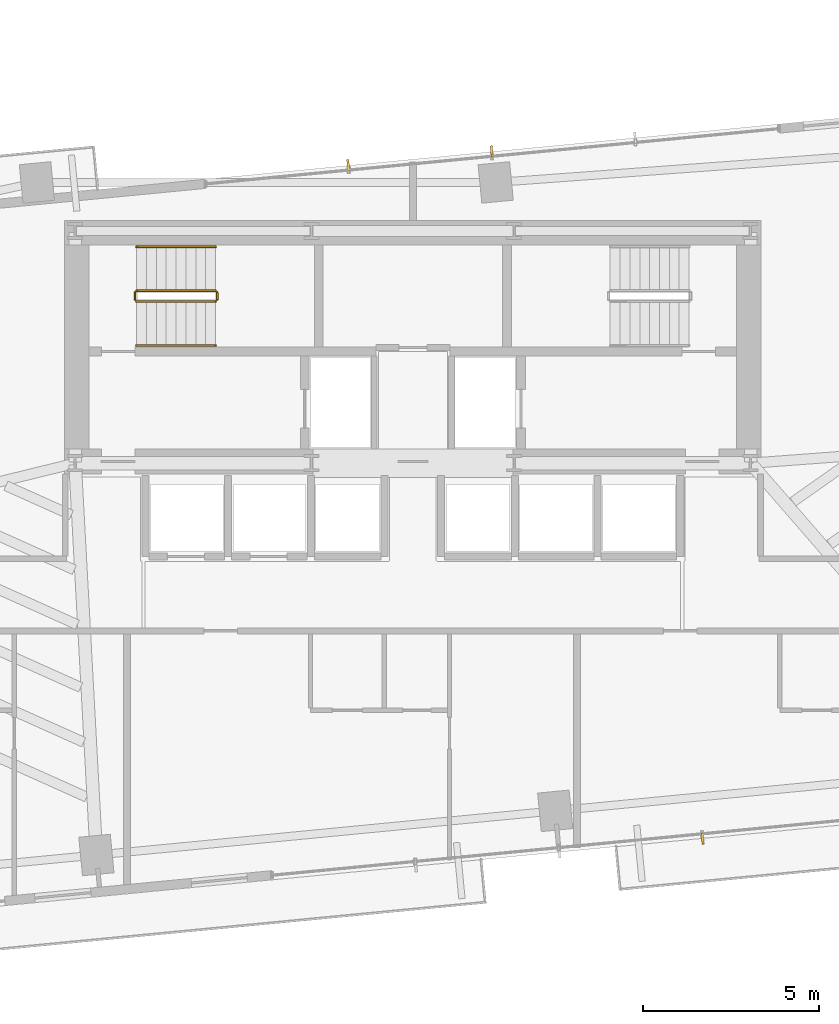
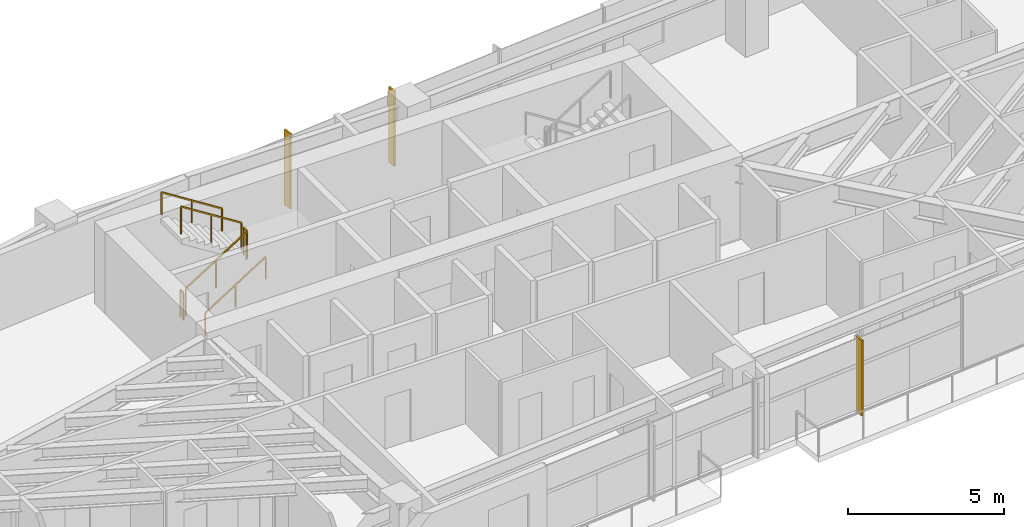
# One storey, part 26 of 27: 6 railings, 3 shading devices.
"""IFC4 building model written with IfcOpenShell, lengths in metres."""

from ifc_helpers import new_model, si_unit, direction, frame, origin, origin_2d, place, context, subcontext, project, spatial, rectangle, extrude, source, transform, mapped, material, type_object, type_shapes, element, save


model = new_model("IFC4")

# Units and contexts
model_context = context("Model", 3, precision=1e-05, world=origin(), true_north=direction((0.0, 1.0)))
body_context = subcontext(model_context, "Body", "Model", "MODEL_VIEW")
ifc_project = project(units=[si_unit("LENGTHUNIT", "METRE"), si_unit("AREAUNIT", "SQUARE_METRE"), si_unit("VOLUMEUNIT", "CUBIC_METRE"), si_unit("PLANEANGLEUNIT", "RADIAN"), si_unit("MASSUNIT", "GRAM", prefix="KILO")], contexts=[model_context])

# Site, building, storey
site_placement = place(None, origin())
site = spatial("IfcSite", under=ifc_project, at=site_placement, CompositionType="ELEMENT")
building_placement = place(site_placement, origin())
building = spatial("IfcBuilding", under=site, at=building_placement, Name="Astriad Promenade Condominiums", CompositionType="ELEMENT")
storey_placement = place(building_placement, frame((0.0, 0.0, 93.800048828125)))
storey = spatial("IfcBuildingStorey", under=building, at=storey_placement, Name="L26", CompositionType="ELEMENT", Elevation=93.800048828125)

# Shading devices
ifc_material_1 = material(Name="Anodised aluminium 6063-T6 Black Fin", Category="aluminium")
shading_device_type = type_object("IfcShadingDeviceType", Name="FIN-BLACK-320", PredefinedType="USERDEFINED", material=ifc_material_1)
shared_shape_1 = source(origin(), body_context, "Body", "SweptSolid", [
    extrude(rectangle(XDim=0.06494140625, YDim=0.320068359375, at=origin_2d()), origin(), (0.0, 0.0, 1.0), 2.93994140625),
])
type_shapes(shading_device_type, [shared_shape_1])
for number, where, z_axis, x_axis, name in (
    (1, (34.164306640625, 25.87158203125, 0.0), (0.0, 0.0, 1.0), (0.995396198367, 0.09584575252, 0.0), "CW-L26-N-FIN-01"),
    (2, (38.240478515625, 26.263916015625, 0.0), (0.0, 0.0, 1.0), (0.995396198367, 0.09584575252, 0.0), "CW-L26-N-FIN-02"),
    (3, (44.235595703125, 6.728515625, 0.0), (0.0, 0.0, 1.0), (-0.995396198367, -0.09584575252, 0.0), "CW-L26-S-FIN-01"),
):
    element("IfcShadingDevice", number, at=place(storey_placement, frame(where, z_axis=z_axis, x_axis=x_axis)), inside=storey, type_object=shading_device_type, Name=name, ObjectType="FIN", PredefinedType="USERDEFINED", context=body_context, shape_type="MappedRepresentation", body=[
        mapped(shared_shape_1, transform((0.0, 0.0, 0.0), scale=1.0)),
    ])

# Railings
ifc_material_2 = material(Name="Painted Galvanised Steel Guardrail", Category="steel")
railing_type_1 = type_object("IfcRailingType", Name="GRD-STAIR-1100", PredefinedType="GUARDRAIL", material=ifc_material_2)
shared_shape_2 = source(origin(), body_context, "Body", "SweptSolid", [
    extrude(rectangle(XDim=0.048095703125, YDim=0.048095703125, at=origin_2d()), frame((0.0, 0.0, 1.076171875), z_axis=(0.0, 1.0, 0.0), x_axis=(-1.0, 0.0, 0.0)), (0.0, 0.0, 1.0), 0.199951171875),
    extrude(rectangle(XDim=0.0419921875, YDim=0.0419921875, at=origin_2d()), origin(), (0.0, 0.0, 1.0), 1.052001953125),
    extrude(rectangle(XDim=0.0419921875, YDim=0.0419921875, at=origin_2d()), frame((0.0, 0.199951171875, 0.0)), (0.0, 0.0, 1.0), 1.052001953125),
])
for number, where, name in (
    (4, (30.43994140625, 22.050048828125, 1.599853515625), "L26 ST-1 stair guard 2"),
    (5, (28.10009765625, 22.050048828125, 0.0), "L26 ST-1 stair guard 4"),
):
    element("IfcRailing", number, at=place(storey_placement, frame(where)), inside=storey, type_object=railing_type_1, Name=name, PredefinedType="GUARDRAIL", context=body_context, shape_type="MappedRepresentation", body=[
        mapped(shared_shape_2, transform((0.0, 0.0, 0.0), scale=1.0)),
    ])
shared_shape_3 = source(origin(), body_context, "Body", "SweptSolid", [
    extrude(rectangle(XDim=0.048095703125, YDim=0.048095703125, at=origin_2d()), frame((0.0, 0.0, 1.076171875), z_axis=(-0.8442293374, 0.0, 0.53598211339), x_axis=(0.0, -1.0, 0.0)), (0.0, 0.0, 1.0), 2.6533203125),
    extrude(rectangle(XDim=0.0419921875, YDim=0.0419921875, at=origin_2d()), origin(), (0.0, 0.0, 1.0), 1.052001953125),
    extrude(rectangle(XDim=0.0419921875, YDim=0.0419921875, at=origin_2d()), frame((-1.1201171875, 0.0, 0.7109375)), (0.0, 0.0, 1.0), 1.052001953125),
    extrude(rectangle(XDim=0.0419921875, YDim=0.0419921875, at=origin_2d()), frame((-2.239990234375, 0.0, 1.422119140625)), (0.0, 0.0, 1.0), 1.052001953125),
])
railing_1_placement = place(storey_placement, frame((30.389892578125, 22.300048828125, 1.77783203125)))
element("IfcRailing", 6, at=railing_1_placement, inside=storey, type_object=railing_type_1, Name="L26 ST-1 stair guard 3", PredefinedType="GUARDRAIL", context=body_context, shape_type="MappedRepresentation", body=[
    mapped(shared_shape_3, transform((0.0, 0.0, 0.0), scale=1.0)),
])
ifc_material_3 = material(Name="Brushed Stainless Steel Handrail", Category="steel")
railing_type_2 = type_object("IfcRailingType", Name="HRL-STAIR-920", PredefinedType="HANDRAIL", material=ifc_material_3)
shared_shape_4 = source(origin(), body_context, "Body", "SweptSolid", [
    extrude(rectangle(XDim=0.048095703125, YDim=0.048095703125, at=origin_2d()), frame((0.0, 0.0, 0.8759765625), z_axis=(-0.8442293374, 0.0, 0.53598211339), x_axis=(0.0, -1.0, 0.0)), (0.0, 0.0, 1.0), 2.6533203125),
    extrude(rectangle(XDim=0.0419921875, YDim=0.0419921875, at=origin_2d()), origin(), (0.0, 0.0, 1.0), 0.851806640625),
    extrude(rectangle(XDim=0.0419921875, YDim=0.0419921875, at=origin_2d()), frame((-1.1201171875, 0.0, 0.7109375)), (0.0, 0.0, 1.0), 0.851806640625),
    extrude(rectangle(XDim=0.0419921875, YDim=0.0419921875, at=origin_2d()), frame((-2.239990234375, 0.0, 1.422119140625)), (0.0, 0.0, 1.0), 0.851806640625),
])
railing_2_placement = place(storey_placement, frame((30.389892578125, 23.550048828125, 1.77783203125)))
element("IfcRailing", 7, at=railing_2_placement, inside=storey, type_object=railing_type_2, Name="L26 ST-1 stair handrail 2", PredefinedType="HANDRAIL", context=body_context, shape_type="MappedRepresentation", body=[
    mapped(shared_shape_4, transform((0.0, 0.0, 0.0), scale=1.0)),
])
shared_shape_5 = source(origin(), body_context, "Body", "SweptSolid", [
    extrude(rectangle(XDim=0.048095703125, YDim=0.048095703125, at=origin_2d()), frame((0.0, 0.0, 1.076171875), z_axis=(0.8442293374, 0.0, 0.53598211339), x_axis=(0.0, 1.0, 0.0)), (0.0, 0.0, 1.0), 2.6533203125),
    extrude(rectangle(XDim=0.0419921875, YDim=0.0419921875, at=origin_2d()), origin(), (0.0, 0.0, 1.0), 1.052001953125),
    extrude(rectangle(XDim=0.0419921875, YDim=0.0419921875, at=origin_2d()), frame((1.1201171875, 0.0, 0.7109375)), (0.0, 0.0, 1.0), 1.052001953125),
    extrude(rectangle(XDim=0.0419921875, YDim=0.0419921875, at=origin_2d()), frame((2.239990234375, 0.0, 1.422119140625)), (0.0, 0.0, 1.0), 1.052001953125),
])
type_shapes(railing_type_1, [shared_shape_2, shared_shape_3, shared_shape_5])
railing_3_placement = place(storey_placement, frame((28.14990234375, 22.0, 0.177734375)))
element("IfcRailing", 8, at=railing_3_placement, inside=storey, type_object=railing_type_1, Name="L26 ST-1 stair guard 1", PredefinedType="GUARDRAIL", context=body_context, shape_type="MappedRepresentation", body=[
    mapped(shared_shape_5, transform((0.0, 0.0, 0.0), scale=1.0)),
])
shared_shape_6 = source(origin(), body_context, "Body", "SweptSolid", [
    extrude(rectangle(XDim=0.048095703125, YDim=0.048095703125, at=origin_2d()), frame((0.0, 0.0, 0.8759765625), z_axis=(0.8442293374, 0.0, 0.53598211339), x_axis=(0.0, 1.0, 0.0)), (0.0, 0.0, 1.0), 2.6533203125),
    extrude(rectangle(XDim=0.0419921875, YDim=0.0419921875, at=origin_2d()), origin(), (0.0, 0.0, 1.0), 0.851806640625),
    extrude(rectangle(XDim=0.0419921875, YDim=0.0419921875, at=origin_2d()), frame((1.1201171875, 0.0, 0.7109375)), (0.0, 0.0, 1.0), 0.851806640625),
    extrude(rectangle(XDim=0.0419921875, YDim=0.0419921875, at=origin_2d()), frame((2.239990234375, 0.0, 1.422119140625)), (0.0, 0.0, 1.0), 0.851806640625),
])
type_shapes(railing_type_2, [shared_shape_4, shared_shape_6])
railing_4_placement = place(storey_placement, frame((28.14990234375, 20.75, 0.177734375)))
element("IfcRailing", 9, at=railing_4_placement, inside=storey, type_object=railing_type_2, Name="L26 ST-1 stair handrail 1", PredefinedType="HANDRAIL", context=body_context, shape_type="MappedRepresentation", body=[
    mapped(shared_shape_6, transform((0.0, 0.0, 0.0), scale=1.0)),
])

save(model, "model.ifc")
